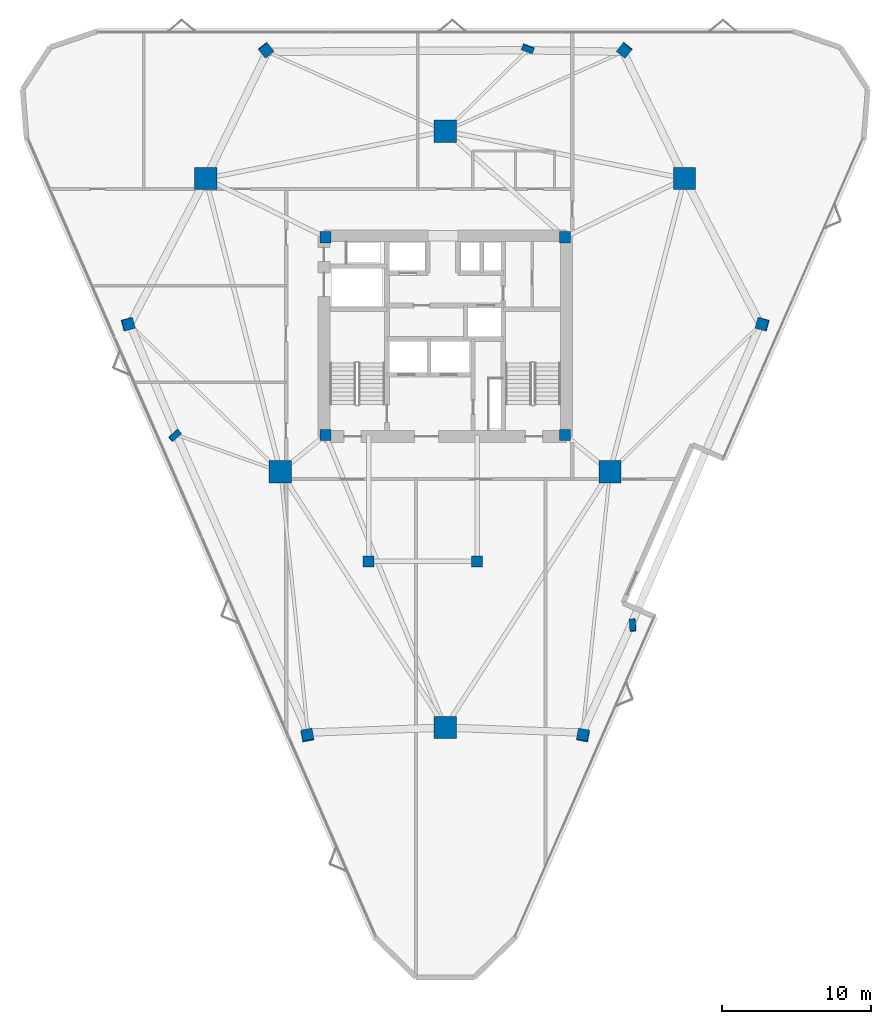
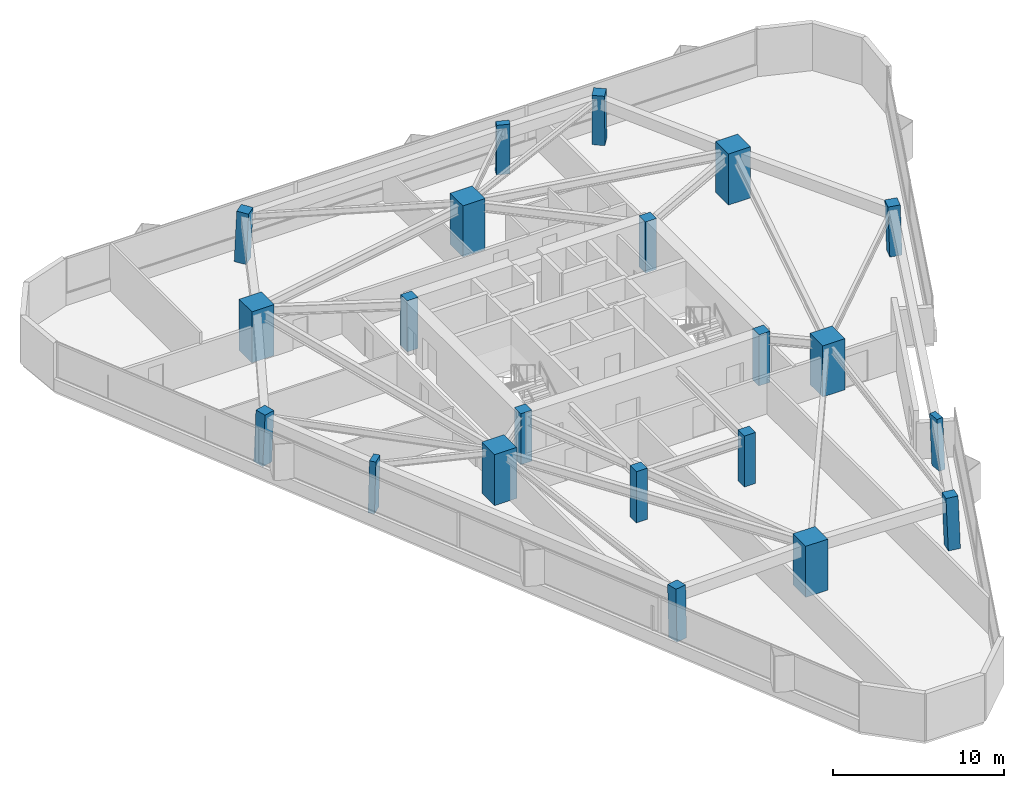
# One storey, part 1 of 12: 21 columns.
"""IFC4 building model written with IfcOpenShell, lengths in metres."""

from ifc_helpers import new_model, si_unit, direction, frame, origin, origin_2d, place, context, subcontext, project, spatial, rectangle, extrude, material, material_profile, profile_set, type_object, element, save


model = new_model("IFC4")

# Units and contexts
model_context = context("Model", 3, precision=1e-05, world=origin(), true_north=direction((0.0, 1.0)))
body_context = subcontext(model_context, "Body", "Model", "MODEL_VIEW")
ifc_project = project(units=[si_unit("LENGTHUNIT", "METRE"), si_unit("AREAUNIT", "SQUARE_METRE"), si_unit("VOLUMEUNIT", "CUBIC_METRE"), si_unit("PLANEANGLEUNIT", "RADIAN"), si_unit("MASSUNIT", "GRAM", prefix="KILO")], contexts=[model_context])

# Site, building, storey
site_placement = place(None, origin())
site = spatial("IfcSite", under=ifc_project, at=site_placement, CompositionType="ELEMENT")
building_placement = place(site_placement, origin())
building = spatial("IfcBuilding", under=site, at=building_placement, Name="Talyreon Biosciences Tower", CompositionType="ELEMENT")
storey_placement = place(building_placement, frame((0.0, 0.0, 152.75)))
storey = spatial("IfcBuildingStorey", under=building, at=storey_placement, Name="L40", CompositionType="ELEMENT", Elevation=152.75)

# Columns
ifc_material_1 = material(Name="Precast concrete C45/55", Category="concrete")
ifc_material_profile_1 = material_profile(ifc_material_1, rectangle(XDim=0.800048828125, YDim=0.39990234375, at=origin_2d()), Name="RC 800x400")
ifc_profile_set_1 = profile_set([ifc_material_profile_1], Name="Precast concrete C45/55")
column_type_1 = type_object("IfcColumnType", Name="FacadePilaster_800x400", PredefinedType="PILASTER", material=ifc_profile_set_1)
column_1_placement = place(storey_placement, frame((78.62158203125, 48.539306640625, 0.0029296875), z_axis=(-0.019545094565, 0.038286966066, 0.999075621516), x_axis=(0.060468763913, -0.997391970385, 0.039405405743)))
element("IfcColumn", 1, at=column_1_placement, inside=storey, type_object=column_type_1, Name="L40 Facade Pilaster PL-SE", PredefinedType="PILASTER", context=body_context, shape_type="SweptSolid", body=[
    extrude(rectangle(XDim=0.800048828125, YDim=0.39990234375, at=origin_2d()), origin(), (0.0, 0.0, 1.0), 3.6474609375),
])
column_2_placement = place(storey_placement, frame((71.56884765625, 87.34716796875, 0.0029296875), z_axis=(-0.01238655289, -0.033544124313, 0.999360478022), x_axis=(-0.9380871136, 0.346399433166, 0.0)))
element("IfcColumn", 2, at=column_2_placement, inside=storey, type_object=column_type_1, Name="L40 Facade Pilaster PL-N", PredefinedType="PILASTER", context=body_context, shape_type="SweptSolid", body=[
    extrude(rectangle(XDim=0.800048828125, YDim=0.39990234375, at=origin_2d()), origin(), (0.0, 0.0, 1.0), 3.646484375),
])
column_3_placement = place(storey_placement, frame((47.809326171875, 61.313232421875, 0.0029296875), z_axis=(0.032006476949, 0.010512587617, 0.999432374368), x_axis=(0.745704060637, 0.665561249642, -0.030881660001)))
element("IfcColumn", 3, at=column_3_placement, inside=storey, type_object=column_type_1, Name="L40 Facade Pilaster PL-SW", PredefinedType="PILASTER", context=body_context, shape_type="SweptSolid", body=[
    extrude(rectangle(XDim=0.800048828125, YDim=0.39990234375, at=origin_2d()), origin(), (0.0, 0.0, 1.0), 3.64599609375),
])
ifc_material_2 = material(Name="Concrete C60/75", Category="concrete")
ifc_material_profile_2 = material_profile(ifc_material_2, rectangle(XDim=1.5, YDim=1.5, at=origin_2d()), Name="RC 1500x1500")
ifc_profile_set_2 = profile_set([ifc_material_profile_2], Name="Concrete C60/75")
column_type_2 = type_object("IfcColumnType", Name="MegaColumn_1500", PredefinedType="COLUMN", material=ifc_profile_set_2)
for number, where, z_axis, x_axis, name in (
    (4, (66.0, 41.6669921875, 0.0), (0.0, 0.0, 1.0), (1.0, 0.0, 0.0), "L40 Composite Mega-Column MC1"),
    (5, (82.102294921875, 78.5986328125, 0.0), (0.0, 0.0, 1.0), (1.0, 0.0, 0.0), "L40 Composite Mega-Column MC2"),
    (6, (49.897705078125, 78.5986328125, 0.0), (0.0, 0.0, 1.0), (1.0, 0.0, 0.0), "L40 Composite Mega-Column MC3"),
    (7, (77.086181640625, 58.88037109375, 0.0), (0.0, 0.0, 1.0), (1.0, 0.0, 0.0), "L40 Composite Mega-Column MC4"),
    (8, (66.0, 81.788818359375, 0.0), (0.0, 0.0, 1.0), (1.0, 0.0, 0.0), "L40 Composite Mega-Column MC5"),
    (9, (54.913818359375, 58.88037109375, 0.0), (0.0, 0.0, 1.0), (1.0, 0.0, 0.0), "L40 Composite Mega-Column MC6"),
):
    element("IfcColumn", number, at=place(storey_placement, frame(where, z_axis=z_axis, x_axis=x_axis)), inside=storey, type_object=column_type_2, Name=name, PredefinedType="COLUMN", context=body_context, shape_type="SweptSolid", body=[
        extrude(rectangle(XDim=1.5, YDim=1.5, at=origin_2d()), origin(), (0.0, 0.0, 1.0), 3.64990234375),
    ])
ifc_material_3 = material(Name="Concrete C50/60", Category="concrete")
ifc_material_profile_3 = material_profile(ifc_material_3, rectangle(XDim=0.75, YDim=0.75, at=origin_2d()), Name="RC 750x750")
ifc_profile_set_3 = profile_set([ifc_material_profile_3], Name="Concrete C50/60")
column_type_3 = type_object("IfcColumnType", Name="PerimeterColumn_750", PredefinedType="COLUMN", material=ifc_profile_set_3)
for number, where, z_axis, x_axis, name in (
    (10, (57.949951171875, 61.35009765625, 0.0), (0.0, 0.0, 1.0), (1.0, 0.0, 0.0), "L40 Core Column CC1"),
    (11, (74.050048828125, 61.35009765625, 0.0), (0.0, 0.0, 1.0), (1.0, 0.0, 0.0), "L40 Core Column CC2"),
    (12, (74.050048828125, 74.64990234375, 0.0), (0.0, 0.0, 1.0), (1.0, 0.0, 0.0), "L40 Core Column CC3"),
    (13, (57.949951171875, 74.64990234375, 0.0), (0.0, 0.0, 1.0), (1.0, 0.0, 0.0), "L40 Core Column CC4"),
    (14, (60.85009765625, 52.840087890625, 0.0), (0.0, 0.0, 1.0), (1.0, 0.0, 0.0), "L40 Core Column CSW"),
    (15, (68.14990234375, 52.840087890625, 0.0), (0.0, 0.0, 1.0), (1.0, 0.0, 0.0), "L40 Core Column CSE"),
):
    element("IfcColumn", number, at=place(storey_placement, frame(where, z_axis=z_axis, x_axis=x_axis)), inside=storey, type_object=column_type_3, Name=name, PredefinedType="COLUMN", context=body_context, shape_type="SweptSolid", body=[
        extrude(rectangle(XDim=0.75, YDim=0.75, at=origin_2d()), origin(), (0.0, 0.0, 1.0), 3.64990234375),
    ])
column_4_placement = place(storey_placement, frame((75.281494140625, 41.1279296875, 0.0029296875), z_axis=(-0.012375141264, 0.054450621561, 0.998439775695), x_axis=(-0.186853588046, -0.981053352328, 0.051186487673)))
element("IfcColumn", 16, at=column_4_placement, inside=storey, type_object=column_type_3, Name="L40 Tapering Perimeter Column PC-SE1", PredefinedType="COLUMN", context=body_context, shape_type="SweptSolid", body=[
    extrude(rectangle(XDim=0.75, YDim=0.75, at=origin_2d()), origin(), (0.0, 0.0, 1.0), 3.649658203125),
])
column_5_placement = place(storey_placement, frame((87.347412109375, 68.8046875, 0.0029296875), z_axis=(-0.039229493406, -0.00569028488, 0.999214024874), x_axis=(0.963836381378, -0.264005766474, 0.036337105007)))
element("IfcColumn", 17, at=column_5_placement, inside=storey, type_object=column_type_3, Name="L40 Tapering Perimeter Column PC-SE2", PredefinedType="COLUMN", context=body_context, shape_type="SweptSolid", body=[
    extrude(rectangle(XDim=0.75, YDim=0.75, at=origin_2d()), origin(), (0.0, 0.0, 1.0), 3.64697265625),
])
for number, where, z_axis, x_axis, name in (
    (18, (78.06591796875, 87.2470703125, 0.0029296875), (-0.026841076243, -0.033534611465, 0.999077067328), (-0.780716755404, 0.624885067698, 0.0), "L40 Tapering Perimeter Column PC-N1"),
    (19, (53.93408203125, 87.2470703125, 0.0029296875), (0.026841076243, -0.033534611465, 0.999077067328), (-0.780716755404, -0.624885067698, 0.0), "L40 Tapering Perimeter Column PC-N2"),
):
    element("IfcColumn", number, at=place(storey_placement, frame(where, z_axis=z_axis, x_axis=x_axis)), inside=storey, type_object=column_type_3, Name=name, PredefinedType="COLUMN", context=body_context, shape_type="SweptSolid", body=[
        extrude(rectangle(XDim=0.75, YDim=0.75, at=origin_2d()), origin(), (0.0, 0.0, 1.0), 3.6474609375),
    ])
column_6_placement = place(storey_placement, frame((44.652587890625, 68.8046875, 0.0029296875), z_axis=(0.039229493406, -0.00569028488, 0.999214024874), x_axis=(0.963836381378, 0.264005766474, -0.036337105007)))
element("IfcColumn", 20, at=column_6_placement, inside=storey, type_object=column_type_3, Name="L40 Tapering Perimeter Column PC-SW1", PredefinedType="COLUMN", context=body_context, shape_type="SweptSolid", body=[
    extrude(rectangle(XDim=0.75, YDim=0.75, at=origin_2d()), origin(), (0.0, 0.0, 1.0), 3.64697265625),
])
column_7_placement = place(storey_placement, frame((56.718505859375, 41.1279296875, 0.0029296875), z_axis=(0.012375141264, 0.054450621561, 0.998439775695), x_axis=(-0.186853588046, 0.981053352328, -0.051186487673)))
element("IfcColumn", 21, at=column_7_placement, inside=storey, type_object=column_type_3, Name="L40 Tapering Perimeter Column PC-SW2", PredefinedType="COLUMN", context=body_context, shape_type="SweptSolid", body=[
    extrude(rectangle(XDim=0.75, YDim=0.75, at=origin_2d()), origin(), (0.0, 0.0, 1.0), 3.649658203125),
])

save(model, "model.ifc")
